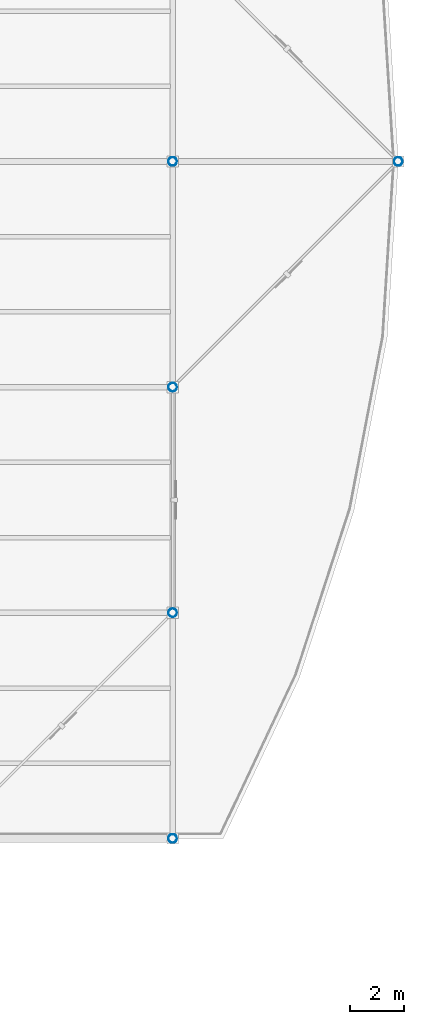
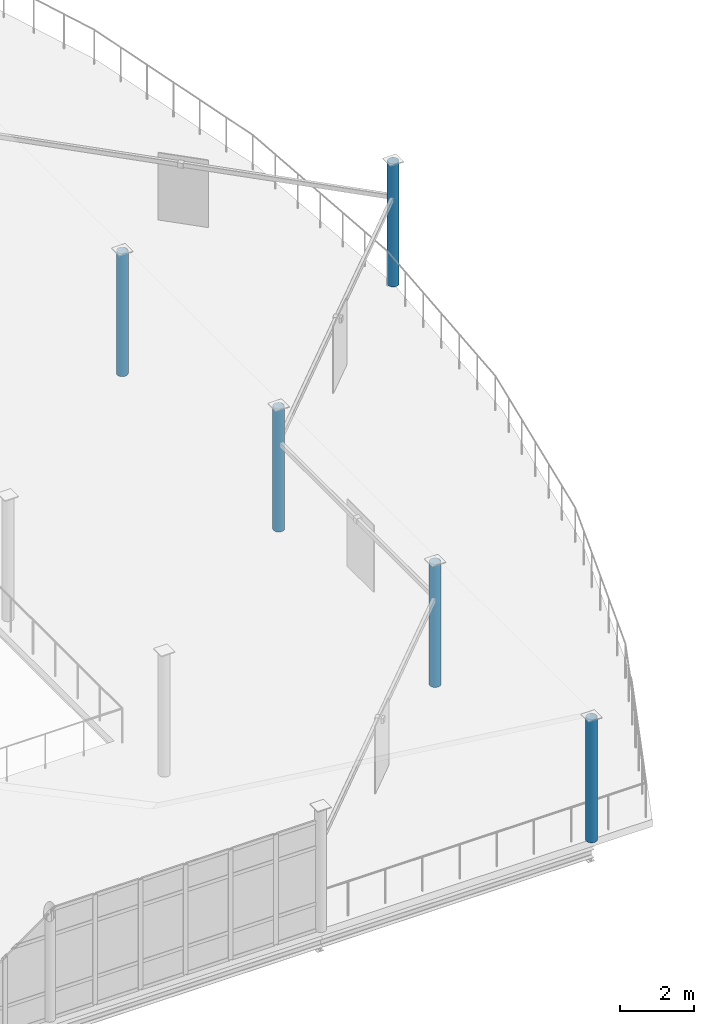
# One storey, part 10 of 65: 5 columns.
"""IFC4 building model written with IfcOpenShell, lengths in metres."""

from ifc_helpers import new_model, si_unit, direction, frame, origin, origin_2d, place, context, subcontext, project, spatial, hollow_circle, extrude, material, material_profile, profile_set, type_object, element, save


model = new_model("IFC4")

# Units and contexts
model_context = context("Model", 3, precision=1e-05, world=origin(), true_north=direction((0.0, 1.0)))
body_context = subcontext(model_context, "Body", "Model", "MODEL_VIEW")
ifc_project = project(units=[si_unit("LENGTHUNIT", "METRE"), si_unit("AREAUNIT", "SQUARE_METRE"), si_unit("VOLUMEUNIT", "CUBIC_METRE"), si_unit("PLANEANGLEUNIT", "RADIAN"), si_unit("MASSUNIT", "GRAM", prefix="KILO")], contexts=[model_context])

# Site, building, storey
site_placement = place(None, origin())
site = spatial("IfcSite", under=ifc_project, at=site_placement, CompositionType="ELEMENT")
building_placement = place(site_placement, origin())
building = spatial("IfcBuilding", under=site, at=building_placement, Name="Qalvenar Corner Mobility Hub", CompositionType="ELEMENT")
storey_placement = place(building_placement, frame((0.0, 0.0, 17.39990234375)))
storey = spatial("IfcBuildingStorey", under=building, at=storey_placement, Name="L04", CompositionType="ELEMENT", Elevation=17.39990234375)

# Columns
ifc_material = material(Name="Steel S355", Category="steel")
ifc_material_profile = material_profile(ifc_material, hollow_circle(Radius=0.161865234375, WallThickness=0.010009765625, at=origin_2d()), Name="CHS323.9x10")
ifc_profile_set = profile_set([ifc_material_profile], Name="Steel S355")
column_type = type_object("IfcColumnType", Name="COL-CHS323", PredefinedType="COLUMN", material=ifc_profile_set)
for number, where, z_axis, x_axis, name in (
    (1, (168.0, 67.199951171875, 0.0), (0.0, 0.0, 1.0), (1.0, 0.0, 0.0), "Steel Column L04-G21-8"),
    (2, (168.0, 75.60009765625, 0.0), (0.0, 0.0, 1.0), (1.0, 0.0, 0.0), "Steel Column L04-G21-9"),
    (3, (168.0, 84.0, 0.0), (0.0, 0.0, 1.0), (1.0, 0.0, 0.0), "Steel Column L04-G21-10"),
    (4, (168.0, 92.39990234375, 0.0), (0.0, 0.0, 1.0), (1.0, 0.0, 0.0), "Steel Column L04-G21-11"),
    (5, (176.39990234375, 92.39990234375, 0.0), (0.0, 0.0, 1.0), (1.0, 0.0, 0.0), "Steel Column L04-G22-11"),
):
    element("IfcColumn", number, at=place(storey_placement, frame(where, z_axis=z_axis, x_axis=x_axis)), inside=storey, type_object=column_type, Name=name, PredefinedType="COLUMN", context=body_context, shape_type="SweptSolid", body=[
        extrude(hollow_circle(Radius=0.161865234375, WallThickness=0.010009765625, at=origin_2d()), origin(), (0.0, 0.0, 1.0), 4.030029296875),
    ])

save(model, "model.ifc")
